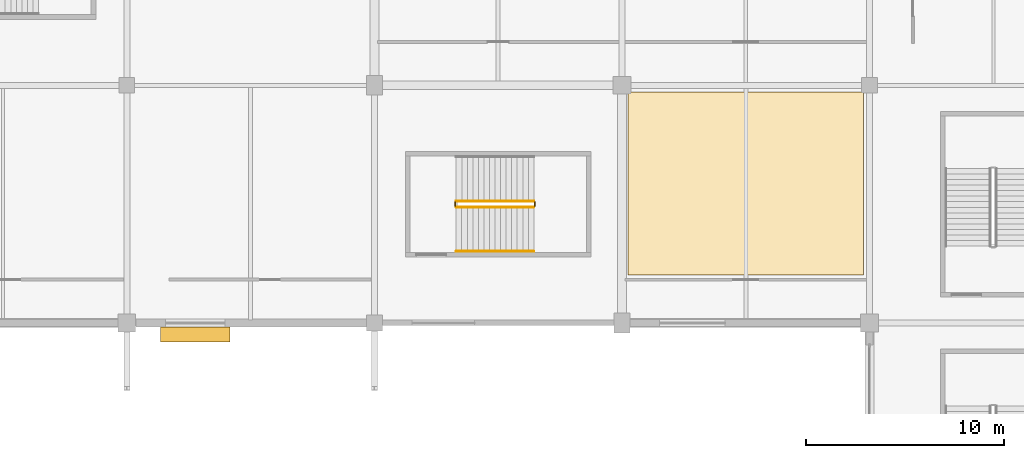
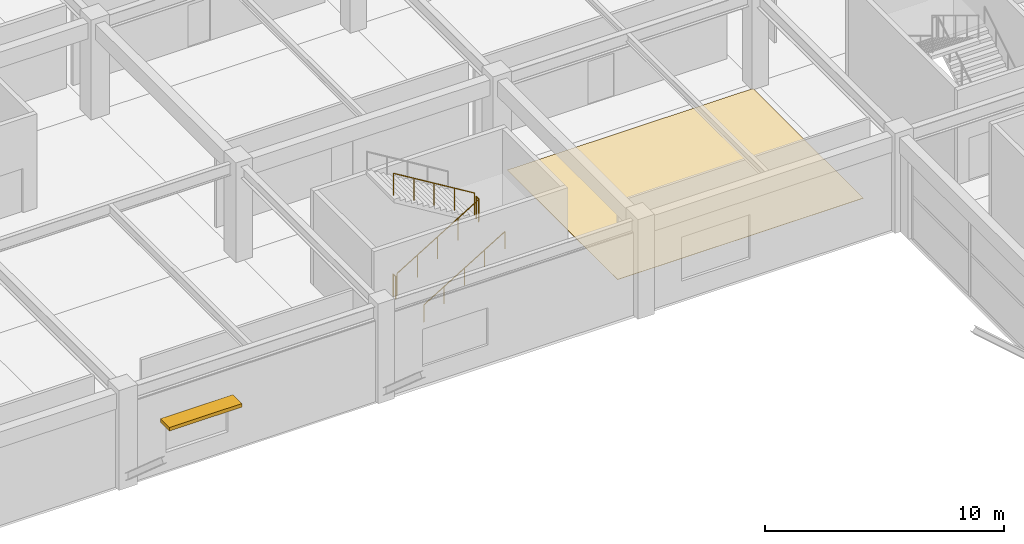
# One storey, part 107 of 116: 5 railings, 1 covering, 1 shading device.
"""IFC4 building model written with IfcOpenShell, lengths in metres."""

from ifc_helpers import new_model, si_unit, direction, frame, origin, origin_2d, place, context, subcontext, project, spatial, polyline, rectangle, circle, outline, extrude, material, layer, layer_set, type_object, element, save


model = new_model("IFC4")

# Units and contexts
model_context = context("Model", 3, precision=1e-05, world=origin(), true_north=direction((0.0, 1.0)))
body_context = subcontext(model_context, "Body", "Model", "MODEL_VIEW")
ifc_project = project(units=[si_unit("LENGTHUNIT", "METRE"), si_unit("AREAUNIT", "SQUARE_METRE"), si_unit("VOLUMEUNIT", "CUBIC_METRE"), si_unit("PLANEANGLEUNIT", "RADIAN"), si_unit("MASSUNIT", "GRAM", prefix="KILO")], contexts=[model_context])

# Site, building, storey
site_placement = place(None, origin())
site = spatial("IfcSite", under=ifc_project, at=site_placement, CompositionType="ELEMENT")
building_placement = place(site_placement, origin())
building = spatial("IfcBuilding", under=site, at=building_placement, Name="Kazenohara Klinker Stadium", CompositionType="ELEMENT")
storey_placement = place(building_placement, frame((0.0, 0.0, 10.199951171875)))
storey = spatial("IfcBuildingStorey", under=building, at=storey_placement, Name="L02", CompositionType="ELEMENT", Elevation=10.199951171875)

# Covering
ifc_material_1 = material(Name="Cushioned EPDM sports rubber flooring", Category="rubber")
ifc_layer_1 = layer(ifc_material_1, 0.014892578125)
ifc_layer_set_1 = layer_set([ifc_layer_1], Name="Cushioned EPDM sports rubber flooring")
covering_type = type_object("IfcCoveringType", Name="COV-FLR-02", PredefinedType="FLOORING", material=ifc_layer_set_1)
covering_placement = place(storey_placement, origin())
element("IfcCovering", 1, at=covering_placement, inside=storey, type_object=covering_type, Name="Interior floor finish FL02 Civic Sports Archive Reading Room L02-1311A", PredefinedType="FLOORING", context=body_context, shape_type="SweptSolid", body=[
    extrude(outline(polyline([(162.81005859375, 134.429931640625), (174.68994140625, 134.429931640625), (174.68994140625, 143.669921875), (162.81005859375, 143.669921875), (162.81005859375, 134.429931640625)])), origin(), (0.0, 0.0, 1.0), 0.01513671875),
])

# Railings
ifc_material_2 = material(Name="Brushed stainless steel 304 handrail", Category="steel")
ifc_layer_2 = layer(ifc_material_2, 0.050048828125)
ifc_layer_set_2 = layer_set([ifc_layer_2], Name="Brushed stainless steel 304 handrail")
railing_type_1 = type_object("IfcRailingType", Name="RL-HND-900", PredefinedType="HANDRAIL", material=ifc_layer_set_2)
railing_1_placement = place(storey_placement, frame((154.1298828125, 135.610107421875, 0.170166015625)))
element("IfcRailing", 2, at=railing_1_placement, inside=storey, type_object=railing_type_1, Name="L02 ST20 stair handrail 1", PredefinedType="HANDRAIL", context=body_context, shape_type="SweptSolid", body=[
    extrude(circle(Radius=0.02392578125, at=origin_2d()), frame((0.0, 0.0, 0.8759765625), z_axis=(0.854808600491, 0.0, 0.518943403973), x_axis=(0.0, 1.0, 0.0)), (0.0, 0.0, 1.0), 4.5859375),
    extrude(circle(Radius=0.02099609375, at=origin_2d()), origin(), (0.0, 0.0, 1.0), 0.851806640625),
    extrude(circle(Radius=0.02099609375, at=origin_2d()), frame((0.97998046875, 0.0, 0.594970703125)), (0.0, 0.0, 1.0), 0.851806640625),
    extrude(circle(Radius=0.02099609375, at=origin_2d()), frame((1.9599609375, 0.0, 1.18994140625)), (0.0, 0.0, 1.0), 0.851806640625),
    extrude(circle(Radius=0.02099609375, at=origin_2d()), frame((2.940185546875, 0.0, 1.784912109375)), (0.0, 0.0, 1.0), 0.851806640625),
    extrude(circle(Radius=0.02099609375, at=origin_2d()), frame((3.920166015625, 0.0, 2.3798828125)), (0.0, 0.0, 1.0), 0.851806640625),
])
ifc_material_3 = material(Name="Painted steel stairwell guardrail", Category="steel")
ifc_layer_3 = layer(ifc_material_3, 0.06005859375)
ifc_layer_set_3 = layer_set([ifc_layer_3], Name="Painted steel stairwell guardrail")
railing_type_2 = type_object("IfcRailingType", Name="RL-STG-1120", PredefinedType="GUARDRAIL", material=ifc_layer_set_3)
railing_2_placement = place(storey_placement, frame((154.1298828125, 137.85009765625, 0.170166015625)))
element("IfcRailing", 3, at=railing_2_placement, inside=storey, type_object=railing_type_2, Name="L02 ST20 stair guard 1", PredefinedType="GUARDRAIL", context=body_context, shape_type="SweptSolid", body=[
    extrude(circle(Radius=0.02392578125, at=origin_2d()), frame((0.0, 0.0, 1.1259765625), z_axis=(0.854808600491, 0.0, 0.518943403973), x_axis=(0.0, 1.0, 0.0)), (0.0, 0.0, 1.0), 4.5859375),
    extrude(circle(Radius=0.02099609375, at=origin_2d()), origin(), (0.0, 0.0, 1.0), 1.101806640625),
    extrude(circle(Radius=0.02099609375, at=origin_2d()), frame((0.97998046875, 0.0, 0.594970703125)), (0.0, 0.0, 1.0), 1.101806640625),
    extrude(circle(Radius=0.02099609375, at=origin_2d()), frame((1.9599609375, 0.0, 1.18994140625)), (0.0, 0.0, 1.0), 1.101806640625),
    extrude(circle(Radius=0.02099609375, at=origin_2d()), frame((2.940185546875, 0.0, 1.784912109375)), (0.0, 0.0, 1.0), 1.101806640625),
    extrude(circle(Radius=0.02099609375, at=origin_2d()), frame((3.920166015625, 0.0, 2.3798828125)), (0.0, 0.0, 1.0), 1.101806640625),
])
railing_3_placement = place(storey_placement, frame((158.10009765625, 137.89990234375, 2.550048828125)))
element("IfcRailing", 4, at=railing_3_placement, inside=storey, type_object=railing_type_2, Name="L02 ST20 stair guard 2", PredefinedType="GUARDRAIL", context=body_context, shape_type="SweptSolid", body=[
    extrude(circle(Radius=0.02392578125, at=origin_2d()), frame((0.0, 0.0, 1.1259765625), z_axis=(0.0, 1.0, 0.0), x_axis=(-1.0, 0.0, 0.0)), (0.0, 0.0, 1.0), 0.2001953125),
    extrude(circle(Radius=0.02099609375, at=origin_2d()), origin(), (0.0, 0.0, 1.0), 1.101806640625),
    extrude(circle(Radius=0.02099609375, at=origin_2d()), frame((0.0, 0.2001953125, 0.0)), (0.0, 0.0, 1.0), 1.101806640625),
])
railing_4_placement = place(storey_placement, frame((158.050048828125, 138.14990234375, 2.719970703125)))
element("IfcRailing", 5, at=railing_4_placement, inside=storey, type_object=railing_type_2, Name="L02 ST20 stair guard 3", PredefinedType="GUARDRAIL", context=body_context, shape_type="SweptSolid", body=[
    extrude(circle(Radius=0.02392578125, at=origin_2d()), frame((0.0, 0.0, 1.1259765625), z_axis=(-0.854784984964, 0.0, 0.518982301701), x_axis=(0.0, -1.0, 0.0)), (0.0, 0.0, 1.0), 4.586181640625),
    extrude(circle(Radius=0.02099609375, at=origin_2d()), origin(), (0.0, 0.0, 1.0), 1.101806640625),
    extrude(circle(Radius=0.02099609375, at=origin_2d()), frame((-0.97998046875, 0.0, 0.594970703125)), (0.0, 0.0, 1.0), 1.101806640625),
    extrude(circle(Radius=0.02099609375, at=origin_2d()), frame((-1.9599609375, 0.0, 1.18994140625)), (0.0, 0.0, 1.0), 1.101806640625),
    extrude(circle(Radius=0.02099609375, at=origin_2d()), frame((-2.940185546875, 0.0, 1.78515625)), (0.0, 0.0, 1.0), 1.101806640625),
    extrude(circle(Radius=0.02099609375, at=origin_2d()), frame((-3.920166015625, 0.0, 2.380126953125)), (0.0, 0.0, 1.0), 1.101806640625),
])
railing_5_placement = place(storey_placement, frame((154.080078125, 137.89990234375, 0.0)))
element("IfcRailing", 6, at=railing_5_placement, inside=storey, type_object=railing_type_2, Name="L02 ST20 stair guard 4", PredefinedType="GUARDRAIL", context=body_context, shape_type="SweptSolid", body=[
    extrude(circle(Radius=0.02392578125, at=origin_2d()), frame((0.0, 0.0, 1.1259765625), z_axis=(0.0, 1.0, 0.0), x_axis=(-1.0, 0.0, 0.0)), (0.0, 0.0, 1.0), 0.2001953125),
    extrude(circle(Radius=0.02099609375, at=origin_2d()), origin(), (0.0, 0.0, 1.0), 1.101806640625),
    extrude(circle(Radius=0.02099609375, at=origin_2d()), frame((0.0, 0.2001953125, 0.0)), (0.0, 0.0, 1.0), 1.101806640625),
])

# Shading device
ifc_material_4 = material(Name="Bronze-anodised aluminium snow-hood sunshade", Category="aluminium")
shading_device_type = type_object("IfcShadingDeviceType", Name="SHD-SUN-02", PredefinedType="AWNING", material=ifc_material_4)
shading_device_placement = place(storey_placement, frame((140.9541015625, 131.425048828125, 2.58984375), z_axis=(0.0, 0.0, 1.0), x_axis=(1.0, 0.0, 0.0)))
element("IfcShadingDevice", 7, at=shading_device_placement, inside=storey, type_object=shading_device_type, Name="Bronze snow-hood sunshade SS02-18", PredefinedType="AWNING", context=body_context, shape_type="SweptSolid", body=[
    extrude(rectangle(XDim=3.5, YDim=0.75, at=origin_2d()), origin(), (0.0, 0.0, 1.0), 0.179931640625),
])

save(model, "model.ifc")
